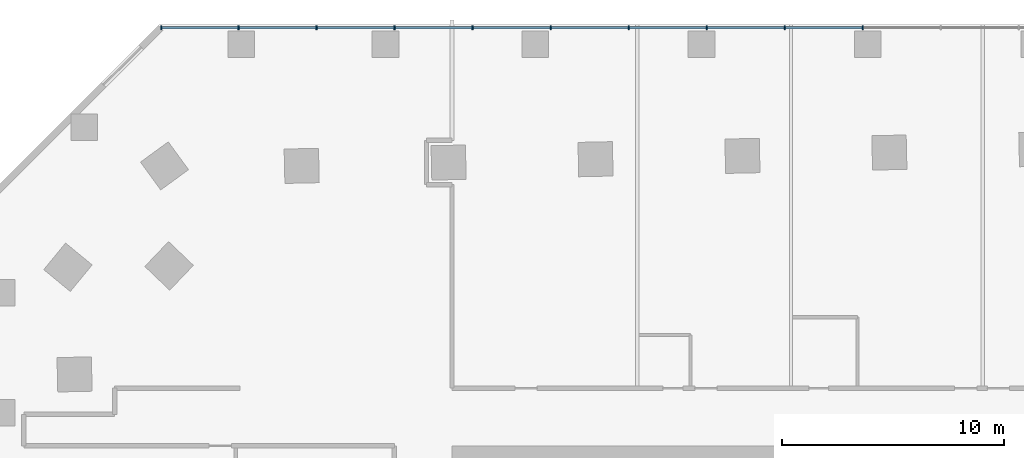
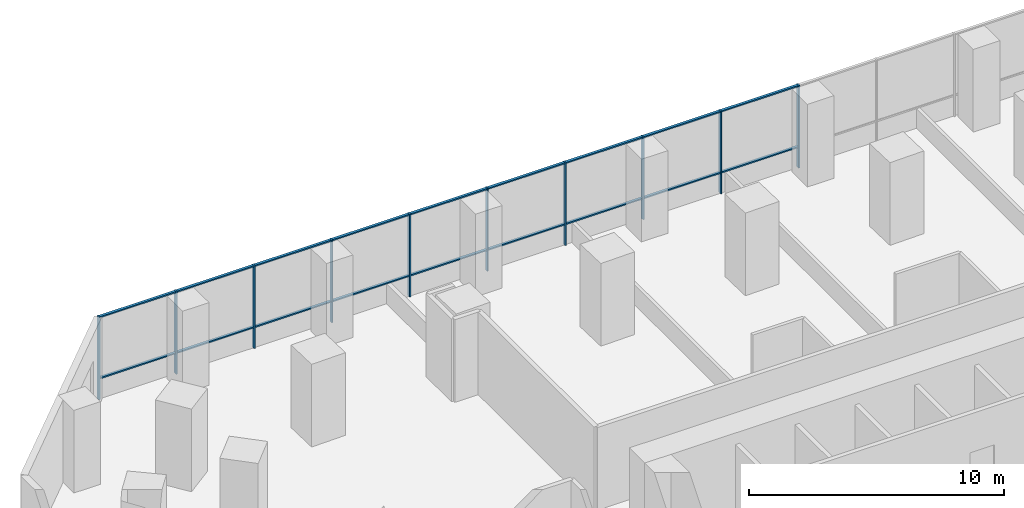
# One storey, part 2 of 13: 28 members, 1 element without a shape of its own.
"""IFC4 building model written with IfcOpenShell, lengths in metres."""

from ifc_helpers import new_model, si_unit, direction, frame, origin, origin_2d, place, context, subcontext, project, spatial, rectangle, extrude, material, material_profile, profile_set, type_object, element, aggregate, save


model = new_model("IFC4")

# Units and contexts
model_context = context("Model", 3, precision=1e-05, world=origin(), true_north=direction((0.0, 1.0)))
body_context = subcontext(model_context, "Body", "Model", "MODEL_VIEW")
ifc_project = project(units=[si_unit("LENGTHUNIT", "METRE"), si_unit("AREAUNIT", "SQUARE_METRE"), si_unit("VOLUMEUNIT", "CUBIC_METRE"), si_unit("PLANEANGLEUNIT", "RADIAN"), si_unit("MASSUNIT", "GRAM", prefix="KILO")], contexts=[model_context])

# Site, building, storey
site_placement = place(None, origin())
site = spatial("IfcSite", under=ifc_project, at=site_placement, CompositionType="ELEMENT")
building_placement = place(site_placement, origin())
building = spatial("IfcBuilding", under=site, at=building_placement, Name="Mangrove Gate Tower", CompositionType="ELEMENT")
storey_placement = place(building_placement, frame((0.0, 0.0, 20.5)))
storey = spatial("IfcBuildingStorey", under=building, at=storey_placement, Name="L04", CompositionType="ELEMENT", Elevation=20.5)

# Curtain wall, members
ifc_material_1 = material(Name="Aluminium and glass curtain wall", Category="aluminium")
curtain_wall_type = type_object("IfcCurtainWallType", Name="Podium amenity glazing wall", PredefinedType="NOTDEFINED", material=ifc_material_1)
curtain_wall_placement = place(storey_placement, origin())
curtain_wall = element("IfcCurtainWall", 1, at=curtain_wall_placement, inside=storey, type_object=curtain_wall_type, Name="Podium amenity glazing N3", PredefinedType="NOTDEFINED")
ifc_material_2 = material(Name="Aluminium alloy 6063-T6", Category="aluminium")
ifc_material_profile_1 = material_profile(ifc_material_2, rectangle(XDim=0.06005859375, YDim=0.159912109375, at=origin_2d()))
ifc_profile_set_1 = profile_set([ifc_material_profile_1], Name="Aluminium alloy 6063-T6")
member_type_1 = type_object("IfcMemberType", Name="Podium amenity glazing mullion 60x160", PredefinedType="MULLION", material=ifc_profile_set_1)
member_1_placement = place(storey_placement, frame((3.517333984375, 30.85009765625, 0.0), z_axis=(0.0, 0.0, 1.0), x_axis=(-1.0, 0.0, 0.0)))
member_1 = element("IfcMember", 2, at=member_1_placement, type_object=member_type_1, Name="CWP mullion 8", PredefinedType="MULLION", context=body_context, shape_type="SweptSolid", body=[
    extrude(rectangle(XDim=0.06005859375, YDim=0.159912109375, at=origin_2d()), origin(), (0.0, 0.0, 1.0), 3.949951171875),
])
member_2_placement = place(storey_placement, frame((0.0, 30.85009765625, 0.0), z_axis=(0.0, 0.0, 1.0), x_axis=(-1.0, 0.0, 0.0)))
member_2 = element("IfcMember", 3, at=member_2_placement, type_object=member_type_1, Name="CWP mullion 9", PredefinedType="MULLION", context=body_context, shape_type="SweptSolid", body=[
    extrude(rectangle(XDim=0.06005859375, YDim=0.159912109375, at=origin_2d()), origin(), (0.0, 0.0, 1.0), 3.949951171875),
])
member_3_placement = place(storey_placement, frame((-3.517333984375, 30.85009765625, 0.0), z_axis=(0.0, 0.0, 1.0), x_axis=(-1.0, 0.0, 0.0)))
member_3 = element("IfcMember", 4, at=member_3_placement, type_object=member_type_1, Name="CWP mullion 10", PredefinedType="MULLION", context=body_context, shape_type="SweptSolid", body=[
    extrude(rectangle(XDim=0.06005859375, YDim=0.159912109375, at=origin_2d()), origin(), (0.0, 0.0, 1.0), 3.949951171875),
])
member_4_placement = place(storey_placement, frame((-7.034423828125, 30.85009765625, 0.0), z_axis=(0.0, 0.0, 1.0), x_axis=(-1.0, 0.0, 0.0)))
member_4 = element("IfcMember", 5, at=member_4_placement, type_object=member_type_1, Name="CWP mullion 11", PredefinedType="MULLION", context=body_context, shape_type="SweptSolid", body=[
    extrude(rectangle(XDim=0.06005859375, YDim=0.159912109375, at=origin_2d()), origin(), (0.0, 0.0, 1.0), 3.949951171875),
])
member_5_placement = place(storey_placement, frame((-10.5517578125, 30.85009765625, 0.0), z_axis=(0.0, 0.0, 1.0), x_axis=(-1.0, 0.0, 0.0)))
member_5 = element("IfcMember", 6, at=member_5_placement, type_object=member_type_1, Name="CWP mullion 12", PredefinedType="MULLION", context=body_context, shape_type="SweptSolid", body=[
    extrude(rectangle(XDim=0.06005859375, YDim=0.159912109375, at=origin_2d()), origin(), (0.0, 0.0, 1.0), 3.949951171875),
])
member_6_placement = place(storey_placement, frame((-14.06884765625, 30.85009765625, 0.0), z_axis=(0.0, 0.0, 1.0), x_axis=(-1.0, 0.0, 0.0)))
member_6 = element("IfcMember", 7, at=member_6_placement, type_object=member_type_1, Name="CWP mullion 13", PredefinedType="MULLION", context=body_context, shape_type="SweptSolid", body=[
    extrude(rectangle(XDim=0.06005859375, YDim=0.159912109375, at=origin_2d()), origin(), (0.0, 0.0, 1.0), 3.949951171875),
])
member_7_placement = place(storey_placement, frame((-17.586181640625, 30.85009765625, 0.0), z_axis=(0.0, 0.0, 1.0), x_axis=(-1.0, 0.0, 0.0)))
member_7 = element("IfcMember", 8, at=member_7_placement, type_object=member_type_1, Name="CWP mullion 14", PredefinedType="MULLION", context=body_context, shape_type="SweptSolid", body=[
    extrude(rectangle(XDim=0.06005859375, YDim=0.159912109375, at=origin_2d()), origin(), (0.0, 0.0, 1.0), 3.949951171875),
])
member_8_placement = place(storey_placement, frame((-21.103515625, 30.85009765625, 0.0), z_axis=(0.0, 0.0, 1.0), x_axis=(-1.0, 0.0, 0.0)))
member_8 = element("IfcMember", 9, at=member_8_placement, type_object=member_type_1, Name="CWP mullion 15", PredefinedType="MULLION", context=body_context, shape_type="SweptSolid", body=[
    extrude(rectangle(XDim=0.06005859375, YDim=0.159912109375, at=origin_2d()), origin(), (0.0, 0.0, 1.0), 3.949951171875),
])
member_9_placement = place(storey_placement, frame((-24.62060546875, 30.85009765625, 0.0), z_axis=(0.0, 0.0, 1.0), x_axis=(-1.0, 0.0, 0.0)))
member_9 = element("IfcMember", 10, at=member_9_placement, type_object=member_type_1, Name="CWP mullion 16", PredefinedType="MULLION", context=body_context, shape_type="SweptSolid", body=[
    extrude(rectangle(XDim=0.06005859375, YDim=0.159912109375, at=origin_2d()), origin(), (0.0, 0.0, 1.0), 3.949951171875),
])
member_10_placement = place(storey_placement, frame((-28.10791015625, 30.85009765625, 0.0), z_axis=(0.0, 0.0, 1.0), x_axis=(-1.0, 0.0, 0.0)))
member_10 = element("IfcMember", 11, at=member_10_placement, type_object=member_type_1, Name="CWP mullion 17", PredefinedType="MULLION", context=body_context, shape_type="SweptSolid", body=[
    extrude(rectangle(XDim=0.06005859375, YDim=0.159912109375, at=origin_2d()), origin(), (0.0, 0.0, 1.0), 3.949951171875),
])
ifc_material_3 = material(Name="Aluminium alloy 6063-T6", Category="aluminium")
ifc_material_profile_2 = material_profile(ifc_material_3, rectangle(XDim=0.06005859375, YDim=0.1201171875, at=origin_2d()))
ifc_profile_set_2 = profile_set([ifc_material_profile_2], Name="Aluminium alloy 6063-T6")
member_type_2 = type_object("IfcMemberType", Name="Podium amenity glazing transom 60x120", PredefinedType="USERDEFINED", material=ifc_profile_set_2)
member_11_placement = place(storey_placement, frame((3.4873046875, 30.85009765625, 1.0), z_axis=(-1.0, 0.0, 0.0), x_axis=(0.0, 0.0, 1.0)))
member_11 = element("IfcMember", 12, at=member_11_placement, type_object=member_type_2, Name="CWP transom 8.2", ObjectType="TRANSOM", PredefinedType="USERDEFINED", context=body_context, shape_type="SweptSolid", body=[
    extrude(rectangle(XDim=0.06005859375, YDim=0.1201171875, at=origin_2d()), origin(), (0.0, 0.0, 1.0), 3.457275390625),
])
member_12_placement = place(storey_placement, frame((3.4873046875, 30.85009765625, 3.919921875), z_axis=(-1.0, 0.0, 0.0), x_axis=(0.0, 0.0, 1.0)))
member_12 = element("IfcMember", 13, at=member_12_placement, type_object=member_type_2, Name="CWP transom 8.3", ObjectType="TRANSOM", PredefinedType="USERDEFINED", context=body_context, shape_type="SweptSolid", body=[
    extrude(rectangle(XDim=0.06005859375, YDim=0.1201171875, at=origin_2d()), origin(), (0.0, 0.0, 1.0), 3.457275390625),
])
member_13_placement = place(storey_placement, frame((-0.030029296875, 30.85009765625, 1.0), z_axis=(-1.0, 0.0, 0.0), x_axis=(0.0, 0.0, 1.0)))
member_13 = element("IfcMember", 14, at=member_13_placement, type_object=member_type_2, Name="CWP transom 9.2", ObjectType="TRANSOM", PredefinedType="USERDEFINED", context=body_context, shape_type="SweptSolid", body=[
    extrude(rectangle(XDim=0.06005859375, YDim=0.1201171875, at=origin_2d()), origin(), (0.0, 0.0, 1.0), 3.457275390625),
])
member_14_placement = place(storey_placement, frame((-0.030029296875, 30.85009765625, 3.919921875), z_axis=(-1.0, 0.0, 0.0), x_axis=(0.0, 0.0, 1.0)))
member_14 = element("IfcMember", 15, at=member_14_placement, type_object=member_type_2, Name="CWP transom 9.3", ObjectType="TRANSOM", PredefinedType="USERDEFINED", context=body_context, shape_type="SweptSolid", body=[
    extrude(rectangle(XDim=0.06005859375, YDim=0.1201171875, at=origin_2d()), origin(), (0.0, 0.0, 1.0), 3.457275390625),
])
member_15_placement = place(storey_placement, frame((-3.547119140625, 30.85009765625, 1.0), z_axis=(-1.0, 0.0, 0.0), x_axis=(0.0, 0.0, 1.0)))
member_15 = element("IfcMember", 16, at=member_15_placement, type_object=member_type_2, Name="CWP transom 10.2", ObjectType="TRANSOM", PredefinedType="USERDEFINED", context=body_context, shape_type="SweptSolid", body=[
    extrude(rectangle(XDim=0.06005859375, YDim=0.1201171875, at=origin_2d()), origin(), (0.0, 0.0, 1.0), 3.457275390625),
])
member_16_placement = place(storey_placement, frame((-3.547119140625, 30.85009765625, 3.919921875), z_axis=(-1.0, 0.0, 0.0), x_axis=(0.0, 0.0, 1.0)))
member_16 = element("IfcMember", 17, at=member_16_placement, type_object=member_type_2, Name="CWP transom 10.3", ObjectType="TRANSOM", PredefinedType="USERDEFINED", context=body_context, shape_type="SweptSolid", body=[
    extrude(rectangle(XDim=0.06005859375, YDim=0.1201171875, at=origin_2d()), origin(), (0.0, 0.0, 1.0), 3.457275390625),
])
member_17_placement = place(storey_placement, frame((-7.064453125, 30.85009765625, 1.0), z_axis=(-1.0, 0.0, 0.0), x_axis=(0.0, 0.0, 1.0)))
member_17 = element("IfcMember", 18, at=member_17_placement, type_object=member_type_2, Name="CWP transom 11.2", ObjectType="TRANSOM", PredefinedType="USERDEFINED", context=body_context, shape_type="SweptSolid", body=[
    extrude(rectangle(XDim=0.06005859375, YDim=0.1201171875, at=origin_2d()), origin(), (0.0, 0.0, 1.0), 3.457275390625),
])
member_18_placement = place(storey_placement, frame((-7.064453125, 30.85009765625, 3.919921875), z_axis=(-1.0, 0.0, 0.0), x_axis=(0.0, 0.0, 1.0)))
member_18 = element("IfcMember", 19, at=member_18_placement, type_object=member_type_2, Name="CWP transom 11.3", ObjectType="TRANSOM", PredefinedType="USERDEFINED", context=body_context, shape_type="SweptSolid", body=[
    extrude(rectangle(XDim=0.06005859375, YDim=0.1201171875, at=origin_2d()), origin(), (0.0, 0.0, 1.0), 3.457275390625),
])
member_19_placement = place(storey_placement, frame((-10.581787109375, 30.85009765625, 1.0), z_axis=(-1.0, 0.0, 0.0), x_axis=(0.0, 0.0, 1.0)))
member_19 = element("IfcMember", 20, at=member_19_placement, type_object=member_type_2, Name="CWP transom 12.2", ObjectType="TRANSOM", PredefinedType="USERDEFINED", context=body_context, shape_type="SweptSolid", body=[
    extrude(rectangle(XDim=0.06005859375, YDim=0.1201171875, at=origin_2d()), origin(), (0.0, 0.0, 1.0), 3.45703125),
])
member_20_placement = place(storey_placement, frame((-10.581787109375, 30.85009765625, 3.919921875), z_axis=(-1.0, 0.0, 0.0), x_axis=(0.0, 0.0, 1.0)))
member_20 = element("IfcMember", 21, at=member_20_placement, type_object=member_type_2, Name="CWP transom 12.3", ObjectType="TRANSOM", PredefinedType="USERDEFINED", context=body_context, shape_type="SweptSolid", body=[
    extrude(rectangle(XDim=0.06005859375, YDim=0.1201171875, at=origin_2d()), origin(), (0.0, 0.0, 1.0), 3.45703125),
])
member_21_placement = place(storey_placement, frame((-14.098876953125, 30.85009765625, 1.0), z_axis=(-1.0, 0.0, 0.0), x_axis=(0.0, 0.0, 1.0)))
member_21 = element("IfcMember", 22, at=member_21_placement, type_object=member_type_2, Name="CWP transom 13.2", ObjectType="TRANSOM", PredefinedType="USERDEFINED", context=body_context, shape_type="SweptSolid", body=[
    extrude(rectangle(XDim=0.06005859375, YDim=0.1201171875, at=origin_2d()), origin(), (0.0, 0.0, 1.0), 3.457275390625),
])
member_22_placement = place(storey_placement, frame((-14.098876953125, 30.85009765625, 3.919921875), z_axis=(-1.0, 0.0, 0.0), x_axis=(0.0, 0.0, 1.0)))
member_22 = element("IfcMember", 23, at=member_22_placement, type_object=member_type_2, Name="CWP transom 13.3", ObjectType="TRANSOM", PredefinedType="USERDEFINED", context=body_context, shape_type="SweptSolid", body=[
    extrude(rectangle(XDim=0.06005859375, YDim=0.1201171875, at=origin_2d()), origin(), (0.0, 0.0, 1.0), 3.457275390625),
])
member_23_placement = place(storey_placement, frame((-17.6162109375, 30.85009765625, 1.0), z_axis=(-1.0, 0.0, 0.0), x_axis=(0.0, 0.0, 1.0)))
member_23 = element("IfcMember", 24, at=member_23_placement, type_object=member_type_2, Name="CWP transom 14.2", ObjectType="TRANSOM", PredefinedType="USERDEFINED", context=body_context, shape_type="SweptSolid", body=[
    extrude(rectangle(XDim=0.06005859375, YDim=0.1201171875, at=origin_2d()), origin(), (0.0, 0.0, 1.0), 3.457275390625),
])
member_24_placement = place(storey_placement, frame((-17.6162109375, 30.85009765625, 3.919921875), z_axis=(-1.0, 0.0, 0.0), x_axis=(0.0, 0.0, 1.0)))
member_24 = element("IfcMember", 25, at=member_24_placement, type_object=member_type_2, Name="CWP transom 14.3", ObjectType="TRANSOM", PredefinedType="USERDEFINED", context=body_context, shape_type="SweptSolid", body=[
    extrude(rectangle(XDim=0.06005859375, YDim=0.1201171875, at=origin_2d()), origin(), (0.0, 0.0, 1.0), 3.457275390625),
])
member_25_placement = place(storey_placement, frame((-21.13330078125, 30.85009765625, 1.0), z_axis=(-1.0, 0.0, 0.0), x_axis=(0.0, 0.0, 1.0)))
member_25 = element("IfcMember", 26, at=member_25_placement, type_object=member_type_2, Name="CWP transom 15.2", ObjectType="TRANSOM", PredefinedType="USERDEFINED", context=body_context, shape_type="SweptSolid", body=[
    extrude(rectangle(XDim=0.06005859375, YDim=0.1201171875, at=origin_2d()), origin(), (0.0, 0.0, 1.0), 3.457275390625),
])
member_26_placement = place(storey_placement, frame((-21.13330078125, 30.85009765625, 3.919921875), z_axis=(-1.0, 0.0, 0.0), x_axis=(0.0, 0.0, 1.0)))
member_26 = element("IfcMember", 27, at=member_26_placement, type_object=member_type_2, Name="CWP transom 15.3", ObjectType="TRANSOM", PredefinedType="USERDEFINED", context=body_context, shape_type="SweptSolid", body=[
    extrude(rectangle(XDim=0.06005859375, YDim=0.1201171875, at=origin_2d()), origin(), (0.0, 0.0, 1.0), 3.457275390625),
])
member_27_placement = place(storey_placement, frame((-24.650634765625, 30.85009765625, 1.0), z_axis=(-1.0, 0.0, 0.0), x_axis=(0.0, 0.0, 1.0)))
member_27 = element("IfcMember", 28, at=member_27_placement, type_object=member_type_2, Name="CWP transom 16.2", ObjectType="TRANSOM", PredefinedType="USERDEFINED", context=body_context, shape_type="SweptSolid", body=[
    extrude(rectangle(XDim=0.06005859375, YDim=0.1201171875, at=origin_2d()), origin(), (0.0, 0.0, 1.0), 3.42724609375),
])
member_28_placement = place(storey_placement, frame((-24.650634765625, 30.85009765625, 3.919921875), z_axis=(-1.0, 0.0, 0.0), x_axis=(0.0, 0.0, 1.0)))
member_28 = element("IfcMember", 29, at=member_28_placement, type_object=member_type_2, Name="CWP transom 16.3", ObjectType="TRANSOM", PredefinedType="USERDEFINED", context=body_context, shape_type="SweptSolid", body=[
    extrude(rectangle(XDim=0.06005859375, YDim=0.1201171875, at=origin_2d()), origin(), (0.0, 0.0, 1.0), 3.42724609375),
])
aggregate(curtain_wall, [member_1, member_2, member_3, member_4, member_5, member_6, member_7, member_8, member_9, member_10, member_11, member_12, member_13, member_14, member_15, member_16, member_17, member_18, member_19, member_20, member_21, member_22, member_23, member_24, member_25, member_26, member_27, member_28])

save(model, "model.ifc")
